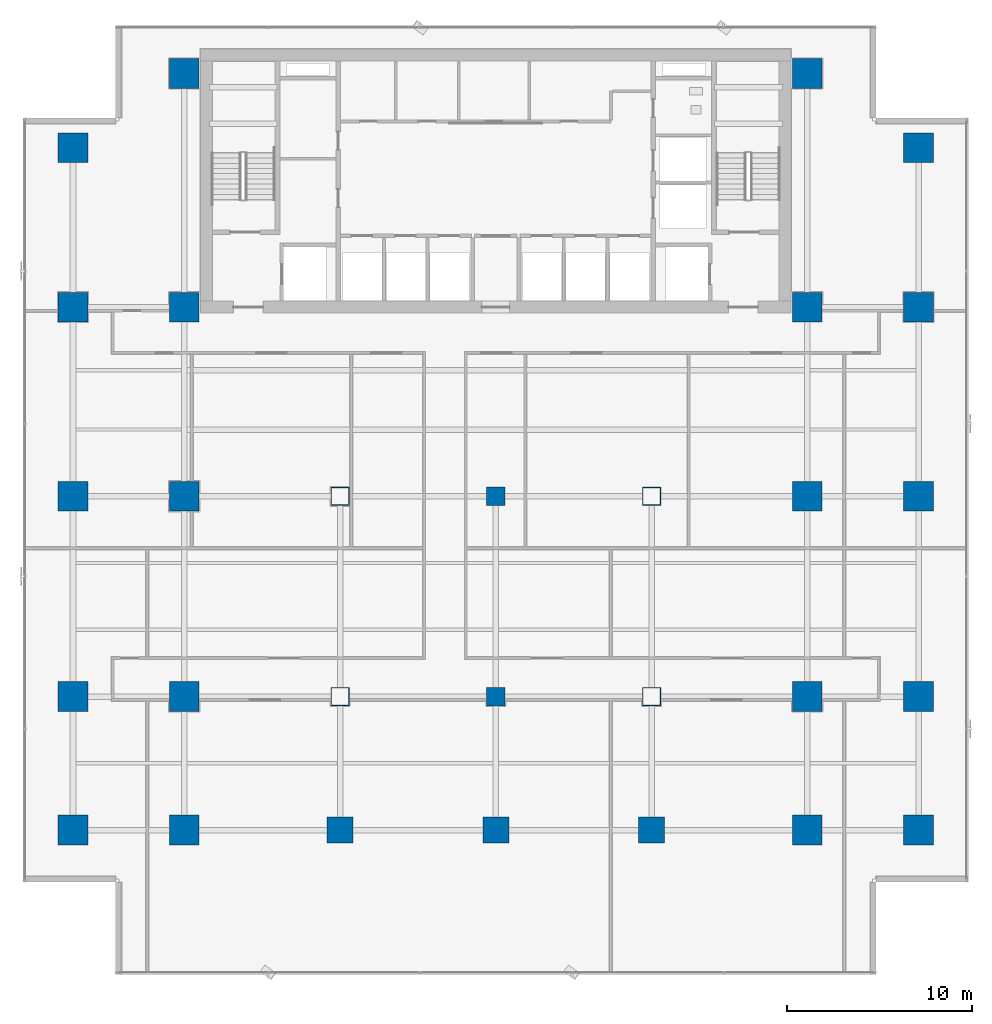
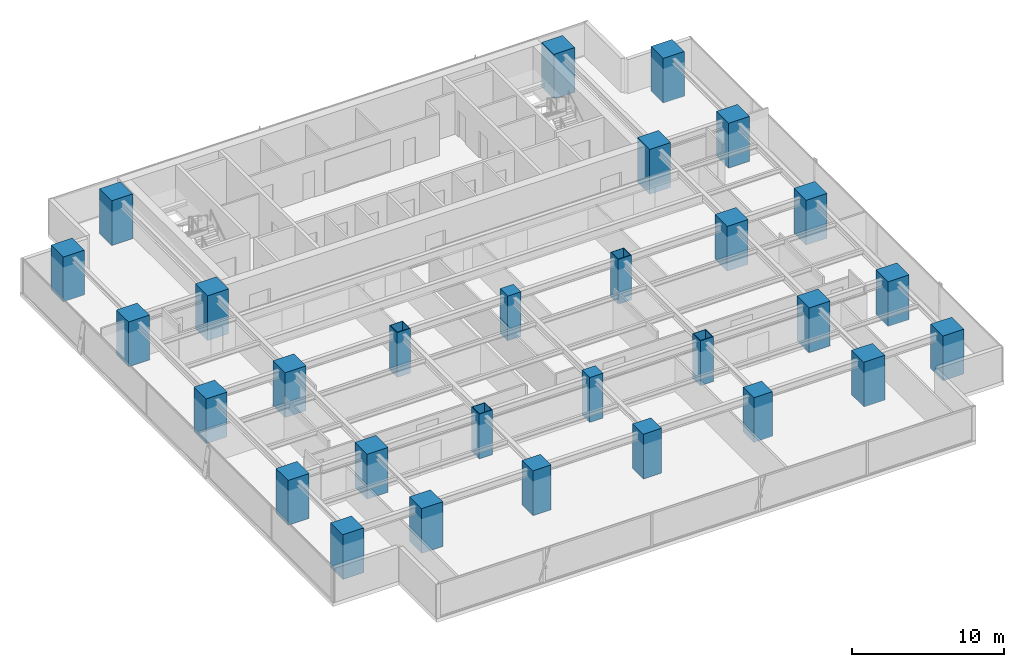
# One storey, part 1 of 36: 29 columns.
"""IFC4 building model written with IfcOpenShell, lengths in metres."""

from ifc_helpers import new_model, si_unit, direction, frame, origin, origin_2d, place, context, subcontext, project, spatial, rectangle, hollow_rectangle, extrude, source, transform, mapped, material, material_profile, profile_set, type_object, element, save


model = new_model("IFC4")

# Units and contexts
model_context = context("Model", 3, precision=1e-05, world=origin(), true_north=direction((0.0, 1.0)))
body_context = subcontext(model_context, "Body", "Model", "MODEL_VIEW")
ifc_project = project(units=[si_unit("LENGTHUNIT", "METRE"), si_unit("AREAUNIT", "SQUARE_METRE"), si_unit("VOLUMEUNIT", "CUBIC_METRE"), si_unit("PLANEANGLEUNIT", "RADIAN"), si_unit("MASSUNIT", "GRAM", prefix="KILO")], contexts=[model_context])

# Site, building, storey
site_placement = place(None, origin())
site = spatial("IfcSite", under=ifc_project, at=site_placement, CompositionType="ELEMENT")
building_placement = place(site_placement, origin())
building = spatial("IfcBuilding", under=site, at=building_placement, Name="Sumidabori Civic Tower", CompositionType="ELEMENT")
storey_placement = place(building_placement, frame((0.0, 0.0, 77.60009765625)))
storey = spatial("IfcBuildingStorey", under=building, at=storey_placement, Name="L19", CompositionType="ELEMENT", Elevation=77.60009765625)

# Columns
ifc_material_1 = material(Name="Concrete C60/75", Category="concrete")
ifc_material_profile_1 = material_profile(ifc_material_1, rectangle(XDim=1.60009765625, YDim=1.60009765625, at=origin_2d()), Name="RC 1600x1600")
ifc_profile_set_1 = profile_set([ifc_material_profile_1], Name="Concrete C60/75")
column_type_1 = type_object("IfcColumnType", Name="CL-MEGA-1600", PredefinedType="COLUMN", material=ifc_profile_set_1)
shared_shape_1 = source(origin(), body_context, "Body", "SweptSolid", [
    extrude(rectangle(XDim=1.60009765625, YDim=1.60009765625, at=origin_2d()), origin(), (0.0, 0.0, 1.0), 3.599853515625),
])
for number, where, z_axis, x_axis, name in (
    (1, (-16.800048828125, -18.0, 0.0), (0.0, 0.0, 1.0), (1.0, 0.0, 0.0), "Column MC-W16-Y18S L19"),
    (2, (-16.800048828125, -10.800048828125, 0.0), (0.0, 0.0, 1.0), (1.0, 0.0, 0.0), "Column MC-W16-Y11S L19"),
    (3, (-16.800048828125, 0.0, 0.0), (0.0, 0.0, 1.0), (1.0, 0.0, 0.0), "Column MC-W16-Y00 L19"),
    (4, (-16.800048828125, 10.199951171875, 0.0), (0.0, 0.0, 1.0), (1.0, 0.0, 0.0), "Column MC-W16-Y10N L19"),
    (5, (-16.800048828125, 22.800048828125, 0.0), (0.0, 0.0, 1.0), (1.0, 0.0, 0.0), "Column MC-W16-Y23N L19"),
    (6, (16.800048828125, -18.0, 0.0), (0.0, 0.0, 1.0), (1.0, 0.0, 0.0), "Column MC-E16-Y18S L19"),
    (7, (16.800048828125, -10.800048828125, 0.0), (0.0, 0.0, 1.0), (1.0, 0.0, 0.0), "Column MC-E16-Y11S L19"),
    (8, (16.800048828125, 0.0, 0.0), (0.0, 0.0, 1.0), (1.0, 0.0, 0.0), "Column MC-E16-Y00 L19"),
    (9, (16.800048828125, 10.199951171875, 0.0), (0.0, 0.0, 1.0), (1.0, 0.0, 0.0), "Column MC-E16-Y10N L19"),
    (10, (16.800048828125, 22.800048828125, 0.0), (0.0, 0.0, 1.0), (1.0, 0.0, 0.0), "Column MC-E16-Y23N L19"),
    (11, (-22.800048828125, -18.0, 0.0), (0.0, 0.0, 1.0), (1.0, 0.0, 0.0), "Column MC-W23-Y18S L19"),
    (12, (-22.800048828125, -10.800048828125, 0.0), (0.0, 0.0, 1.0), (1.0, 0.0, 0.0), "Column MC-W23-Y11S L19"),
    (13, (-22.800048828125, 0.0, 0.0), (0.0, 0.0, 1.0), (1.0, 0.0, 0.0), "Column MC-W23-Y00 L19"),
    (14, (-22.800048828125, 10.199951171875, 0.0), (0.0, 0.0, 1.0), (1.0, 0.0, 0.0), "Column MC-W23-Y10N L19"),
    (15, (-22.800048828125, 18.800048828125, 0.0), (0.0, 0.0, 1.0), (1.0, 0.0, 0.0), "Column MC-W23-Y19N L19"),
    (16, (22.800048828125, -18.0, 0.0), (0.0, 0.0, 1.0), (1.0, 0.0, 0.0), "Column MC-E23-Y18S L19"),
    (17, (22.800048828125, -10.800048828125, 0.0), (0.0, 0.0, 1.0), (1.0, 0.0, 0.0), "Column MC-E23-Y11S L19"),
    (18, (22.800048828125, 0.0, 0.0), (0.0, 0.0, 1.0), (1.0, 0.0, 0.0), "Column MC-E23-Y00 L19"),
    (19, (22.800048828125, 10.199951171875, 0.0), (0.0, 0.0, 1.0), (1.0, 0.0, 0.0), "Column MC-E23-Y10N L19"),
    (20, (22.800048828125, 18.800048828125, 0.0), (0.0, 0.0, 1.0), (1.0, 0.0, 0.0), "Column MC-E23-Y19N L19"),
):
    element("IfcColumn", number, at=place(storey_placement, frame(where, z_axis=z_axis, x_axis=x_axis)), inside=storey, type_object=column_type_1, Name=name, PredefinedType="COLUMN", context=body_context, shape_type="MappedRepresentation", body=[
        mapped(shared_shape_1, transform((0.0, 0.0, 0.0), x_axis=(1.0, 0.0, 0.0), y_axis=(0.0, 1.0, 0.0), z_axis=(0.0, 0.0, 1.0), scale=1.0)),
    ])
ifc_material_2 = material(Name="Steel SM570", Category="steel")
ifc_material_profile_2 = material_profile(ifc_material_2, hollow_rectangle(XDim=1.0, YDim=1.0, WallThickness=0.044921875, at=origin_2d()), Name="SHS 1000x1000x45")
ifc_profile_set_2 = profile_set([ifc_material_profile_2], Name="Steel SM570")
column_type_2 = type_object("IfcColumnType", Name="CL-PORTAL-SHS1000", PredefinedType="COLUMN", material=ifc_profile_set_2)
shared_shape_2 = source(origin(), body_context, "Body", "SweptSolid", [
    extrude(hollow_rectangle(XDim=1.0, YDim=1.0, WallThickness=0.044921875, at=origin_2d()), origin(), (0.0, 0.0, 1.0), 3.599853515625),
])
for number, where, z_axis, x_axis, name in (
    (21, (-8.39990234375, 0.0, 0.0), (0.0, 0.0, 1.0), (1.0, 0.0, 0.0), "Column MC-W08-Y00 L19"),
    (22, (-8.39990234375, -10.800048828125, 0.0), (0.0, 0.0, 1.0), (1.0, 0.0, 0.0), "Column MC-W08-Y11S L19"),
    (23, (8.39990234375, 0.0, 0.0), (0.0, 0.0, 1.0), (1.0, 0.0, 0.0), "Column MC-E08-Y00 L19"),
    (24, (8.39990234375, -10.800048828125, 0.0), (0.0, 0.0, 1.0), (1.0, 0.0, 0.0), "Column MC-E08-Y11S L19"),
):
    element("IfcColumn", number, at=place(storey_placement, frame(where, z_axis=z_axis, x_axis=x_axis)), inside=storey, type_object=column_type_2, Name=name, PredefinedType="COLUMN", context=body_context, shape_type="MappedRepresentation", body=[
        mapped(shared_shape_2, transform((0.0, 0.0, 0.0), x_axis=(1.0, 0.0, 0.0), y_axis=(0.0, 1.0, 0.0), z_axis=(0.0, 0.0, 1.0), scale=1.0)),
    ])
ifc_material_profile_3 = material_profile(ifc_material_1, rectangle(XDim=1.39990234375, YDim=1.39990234375, at=origin_2d()), Name="RC 1400x1400")
ifc_profile_set_3 = profile_set([ifc_material_profile_3], Name="Concrete C60/75")
column_type_3 = type_object("IfcColumnType", Name="CL-MEGA-1400", PredefinedType="COLUMN", material=ifc_profile_set_3)
shared_shape_3 = source(origin(), body_context, "Body", "SweptSolid", [
    extrude(rectangle(XDim=1.39990234375, YDim=1.39990234375, at=origin_2d()), origin(), (0.0, 0.0, 1.0), 3.599853515625),
])
for number, where, z_axis, x_axis, name in (
    (25, (-8.39990234375, -18.0, 0.0), (0.0, 0.0, 1.0), (1.0, 0.0, 0.0), "Column MC-W08-Y18S L19"),
    (26, (8.39990234375, -18.0, 0.0), (0.0, 0.0, 1.0), (1.0, 0.0, 0.0), "Column MC-E08-Y18S L19"),
    (27, (0.0, -18.0, 0.0), (0.0, 0.0, 1.0), (1.0, 0.0, 0.0), "Column MC-C00-Y18S L19"),
):
    element("IfcColumn", number, at=place(storey_placement, frame(where, z_axis=z_axis, x_axis=x_axis)), inside=storey, type_object=column_type_3, Name=name, PredefinedType="COLUMN", context=body_context, shape_type="MappedRepresentation", body=[
        mapped(shared_shape_3, transform((0.0, 0.0, 0.0), x_axis=(1.0, 0.0, 0.0), y_axis=(0.0, 1.0, 0.0), z_axis=(0.0, 0.0, 1.0), scale=1.0)),
    ])
ifc_material_3 = material(Name="Concrete C50/60", Category="concrete")
ifc_material_profile_4 = material_profile(ifc_material_3, rectangle(XDim=1.0, YDim=1.0, at=origin_2d()), Name="RC 1000x1000")
ifc_profile_set_4 = profile_set([ifc_material_profile_4], Name="Concrete C50/60")
column_type_4 = type_object("IfcColumnType", Name="CL-INT-1000", PredefinedType="COLUMN", material=ifc_profile_set_4)
shared_shape_4 = source(origin(), body_context, "Body", "SweptSolid", [
    extrude(rectangle(XDim=1.0, YDim=1.0, at=origin_2d()), origin(), (0.0, 0.0, 1.0), 3.599853515625),
])
for number, where, z_axis, x_axis, name in (
    (28, (0.0, -10.800048828125, 0.0), (0.0, 0.0, 1.0), (1.0, 0.0, 0.0), "Column MC-C00-Y11S L19"),
    (29, (0.0, 0.0, 0.0), (0.0, 0.0, 1.0), (1.0, 0.0, 0.0), "Column MC-C00-Y00 L19"),
):
    element("IfcColumn", number, at=place(storey_placement, frame(where, z_axis=z_axis, x_axis=x_axis)), inside=storey, type_object=column_type_4, Name=name, PredefinedType="COLUMN", context=body_context, shape_type="MappedRepresentation", body=[
        mapped(shared_shape_4, transform((0.0, 0.0, 0.0), x_axis=(1.0, 0.0, 0.0), y_axis=(0.0, 1.0, 0.0), z_axis=(0.0, 0.0, 1.0), scale=1.0)),
    ])

save(model, "model.ifc")
